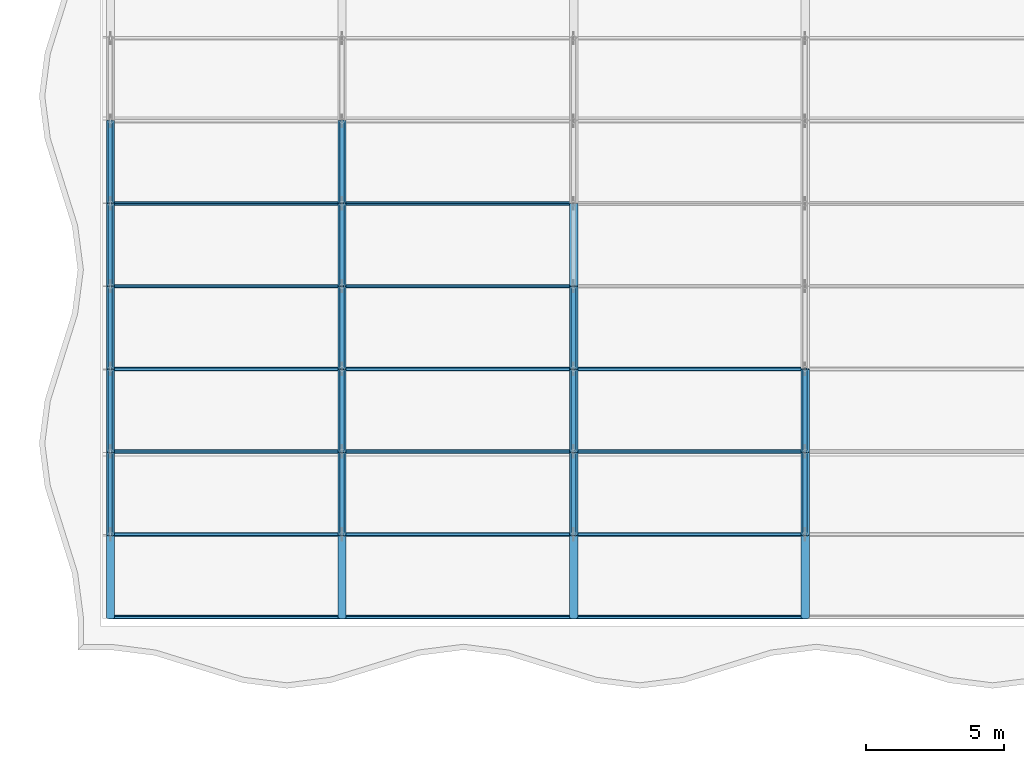
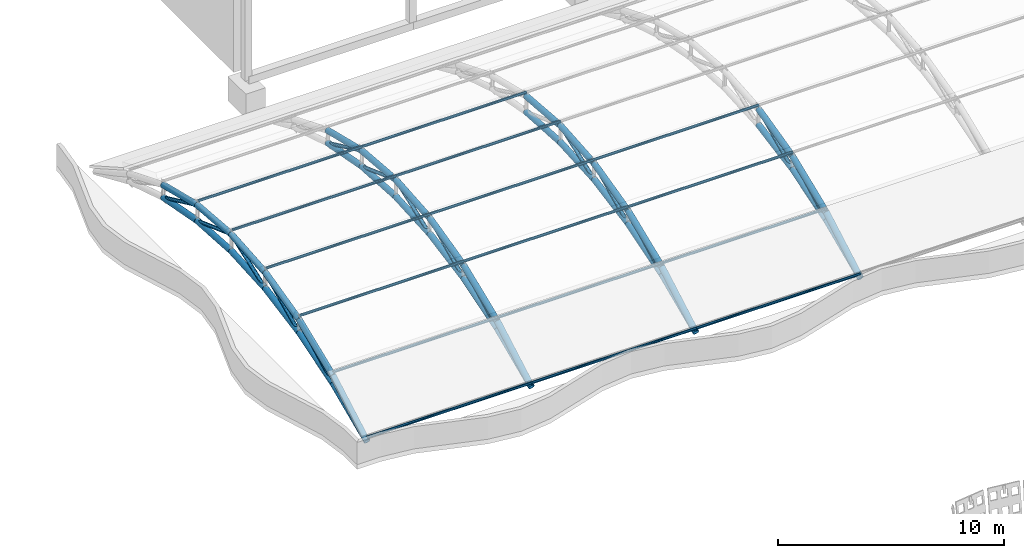
# One storey, part 12 of 163: 71 members.
"""IFC4 building model written with IfcOpenShell, lengths in metres."""

from ifc_helpers import new_model, si_unit, direction, frame, origin, origin_2d, place, context, subcontext, project, spatial, hollow_circle, extrude, material, material_profile, profile_set, type_object, element, save


model = new_model("IFC4")

# Units and contexts
model_context = context("Model", 3, precision=1e-05, world=origin(), true_north=direction((0.0, 1.0)))
body_context = subcontext(model_context, "Body", "Model", "MODEL_VIEW")
ifc_project = project(units=[si_unit("LENGTHUNIT", "METRE"), si_unit("AREAUNIT", "SQUARE_METRE"), si_unit("VOLUMEUNIT", "CUBIC_METRE"), si_unit("PLANEANGLEUNIT", "RADIAN"), si_unit("MASSUNIT", "GRAM", prefix="KILO")], contexts=[model_context])

# Site, building, storey
site_placement = place(None, origin())
site = spatial("IfcSite", under=ifc_project, at=site_placement, CompositionType="ELEMENT")
building_placement = place(site_placement, origin())
building = spatial("IfcBuilding", under=site, at=building_placement, Name="Rain Tree Exposition and Congress Centre", CompositionType="ELEMENT")
storey_placement = place(building_placement, frame((0.0, 0.0, 10.5)))
storey = spatial("IfcBuildingStorey", under=building, at=storey_placement, Name="L02", CompositionType="ELEMENT", Elevation=10.5)

# Members
ifc_material_1 = material(Name="Steel S355J2H", Category="steel")
ifc_material_profile_1 = material_profile(ifc_material_1, hollow_circle(Radius=0.090087890625, WallThickness=0.008056640625, at=origin_2d()), Name="CHS 180x8")
ifc_profile_set_1 = profile_set([ifc_material_profile_1], Name="Steel S355J2H")
member_type_1 = type_object("IfcMemberType", Name="Steel brace member CHS 180x8", PredefinedType="BRACE", material=ifc_profile_set_1)
member_1_placement = place(storey_placement, frame((0.0, 78.60009765625, 1.4423828125), z_axis=(0.0, 0.880818418444, 0.473454236151), x_axis=(-1.0, 0.0, 0.0)))
element("IfcMember", 1, at=member_1_placement, inside=storey, type_object=member_type_1, Name="Roof truss 1 diagonal 1", PredefinedType="BRACE", context=body_context, shape_type="SweptSolid", body=[
    extrude(hollow_circle(Radius=0.090087890625, WallThickness=0.008056640625, at=origin_2d()), origin(), (0.0, 0.0, 1.0), 3.406005859375),
])
member_2_placement = place(storey_placement, frame((0.0, 81.60009765625, 2.3798828125), z_axis=(0.0, 0.905430616583, 0.424494285655), x_axis=(-1.0, 0.0, 0.0)))
element("IfcMember", 2, at=member_2_placement, inside=storey, type_object=member_type_1, Name="Roof truss 1 diagonal 2", PredefinedType="BRACE", context=body_context, shape_type="SweptSolid", body=[
    extrude(hollow_circle(Radius=0.090087890625, WallThickness=0.008056640625, at=origin_2d()), origin(), (0.0, 0.0, 1.0), 3.313232421875),
])
for number, where, z_axis, x_axis, name in (
    (3, (0.0, 84.60009765625, 2.9423828125), (0.0, 0.940121356633, 0.340839896143), (-1.0, 0.0, 0.0), "Roof truss 1 diagonal 3"),
    (4, (0.0, 90.60009765625, 2.9423828125), (0.0, -0.940121356633, 0.340839896143), (1.0, 0.0, 0.0), "Roof truss 1 diagonal 4"),
):
    element("IfcMember", number, at=place(storey_placement, frame(where, z_axis=z_axis, x_axis=x_axis)), inside=storey, type_object=member_type_1, Name=name, PredefinedType="BRACE", context=body_context, shape_type="SweptSolid", body=[
        extrude(hollow_circle(Radius=0.090087890625, WallThickness=0.008056640625, at=origin_2d()), origin(), (0.0, 0.0, 1.0), 3.191162109375),
    ])
member_3_placement = place(storey_placement, frame((0.0, 93.60009765625, 2.3798828125), z_axis=(0.0, -0.905430616583, 0.424494285655), x_axis=(1.0, 0.0, 0.0)))
element("IfcMember", 5, at=member_3_placement, inside=storey, type_object=member_type_1, Name="Roof truss 1 diagonal 5", PredefinedType="BRACE", context=body_context, shape_type="SweptSolid", body=[
    extrude(hollow_circle(Radius=0.090087890625, WallThickness=0.008056640625, at=origin_2d()), origin(), (0.0, 0.0, 1.0), 3.313232421875),
])
member_4_placement = place(storey_placement, frame((8.39990234375, 78.60009765625, 1.4423828125), z_axis=(0.0, 0.880818418444, 0.473454236151), x_axis=(-1.0, 0.0, 0.0)))
element("IfcMember", 6, at=member_4_placement, inside=storey, type_object=member_type_1, Name="Roof truss 2 diagonal 1", PredefinedType="BRACE", context=body_context, shape_type="SweptSolid", body=[
    extrude(hollow_circle(Radius=0.090087890625, WallThickness=0.008056640625, at=origin_2d()), origin(), (0.0, 0.0, 1.0), 3.406005859375),
])
member_5_placement = place(storey_placement, frame((8.39990234375, 81.60009765625, 2.3798828125), z_axis=(0.0, 0.905430616583, 0.424494285655), x_axis=(-1.0, 0.0, 0.0)))
element("IfcMember", 7, at=member_5_placement, inside=storey, type_object=member_type_1, Name="Roof truss 2 diagonal 2", PredefinedType="BRACE", context=body_context, shape_type="SweptSolid", body=[
    extrude(hollow_circle(Radius=0.090087890625, WallThickness=0.008056640625, at=origin_2d()), origin(), (0.0, 0.0, 1.0), 3.313232421875),
])
for number, where, z_axis, x_axis, name in (
    (8, (8.39990234375, 84.60009765625, 2.9423828125), (0.0, 0.940121356633, 0.340839896143), (-1.0, 0.0, 0.0), "Roof truss 2 diagonal 3"),
    (9, (8.39990234375, 90.60009765625, 2.9423828125), (0.0, -0.940121356633, 0.340839896143), (1.0, 0.0, 0.0), "Roof truss 2 diagonal 4"),
):
    element("IfcMember", number, at=place(storey_placement, frame(where, z_axis=z_axis, x_axis=x_axis)), inside=storey, type_object=member_type_1, Name=name, PredefinedType="BRACE", context=body_context, shape_type="SweptSolid", body=[
        extrude(hollow_circle(Radius=0.090087890625, WallThickness=0.008056640625, at=origin_2d()), origin(), (0.0, 0.0, 1.0), 3.191162109375),
    ])
member_6_placement = place(storey_placement, frame((8.39990234375, 93.60009765625, 2.3798828125), z_axis=(0.0, -0.905430616583, 0.424494285655), x_axis=(1.0, 0.0, 0.0)))
element("IfcMember", 10, at=member_6_placement, inside=storey, type_object=member_type_1, Name="Roof truss 2 diagonal 5", PredefinedType="BRACE", context=body_context, shape_type="SweptSolid", body=[
    extrude(hollow_circle(Radius=0.090087890625, WallThickness=0.008056640625, at=origin_2d()), origin(), (0.0, 0.0, 1.0), 3.313232421875),
])
member_7_placement = place(storey_placement, frame((16.800048828125, 78.60009765625, 1.4423828125), z_axis=(0.0, 0.880818418444, 0.473454236151), x_axis=(-1.0, 0.0, 0.0)))
element("IfcMember", 11, at=member_7_placement, inside=storey, type_object=member_type_1, Name="Roof truss 3 diagonal 1", PredefinedType="BRACE", context=body_context, shape_type="SweptSolid", body=[
    extrude(hollow_circle(Radius=0.090087890625, WallThickness=0.008056640625, at=origin_2d()), origin(), (0.0, 0.0, 1.0), 3.406005859375),
])
member_8_placement = place(storey_placement, frame((16.800048828125, 81.60009765625, 2.3798828125), z_axis=(0.0, 0.905430616583, 0.424494285655), x_axis=(-1.0, 0.0, 0.0)))
element("IfcMember", 12, at=member_8_placement, inside=storey, type_object=member_type_1, Name="Roof truss 3 diagonal 2", PredefinedType="BRACE", context=body_context, shape_type="SweptSolid", body=[
    extrude(hollow_circle(Radius=0.090087890625, WallThickness=0.008056640625, at=origin_2d()), origin(), (0.0, 0.0, 1.0), 3.313232421875),
])
member_9_placement = place(storey_placement, frame((16.800048828125, 84.60009765625, 2.9423828125), z_axis=(0.0, 0.940121356633, 0.340839896143), x_axis=(-1.0, 0.0, 0.0)))
element("IfcMember", 13, at=member_9_placement, inside=storey, type_object=member_type_1, Name="Roof truss 3 diagonal 3", PredefinedType="BRACE", context=body_context, shape_type="SweptSolid", body=[
    extrude(hollow_circle(Radius=0.090087890625, WallThickness=0.008056640625, at=origin_2d()), origin(), (0.0, 0.0, 1.0), 3.191162109375),
])
member_10_placement = place(storey_placement, frame((25.199951171875, 78.60009765625, 1.4423828125), z_axis=(0.0, 0.880818418444, 0.473454236151), x_axis=(-1.0, 0.0, 0.0)))
element("IfcMember", 14, at=member_10_placement, inside=storey, type_object=member_type_1, Name="Roof truss 4 diagonal 1", PredefinedType="BRACE", context=body_context, shape_type="SweptSolid", body=[
    extrude(hollow_circle(Radius=0.090087890625, WallThickness=0.008056640625, at=origin_2d()), origin(), (0.0, 0.0, 1.0), 3.406005859375),
])
member_11_placement = place(storey_placement, frame((25.199951171875, 81.60009765625, 2.3798828125), z_axis=(0.0, 0.905430616583, 0.424494285655), x_axis=(-1.0, 0.0, 0.0)))
element("IfcMember", 15, at=member_11_placement, inside=storey, type_object=member_type_1, Name="Roof truss 4 diagonal 2", PredefinedType="BRACE", context=body_context, shape_type="SweptSolid", body=[
    extrude(hollow_circle(Radius=0.090087890625, WallThickness=0.008056640625, at=origin_2d()), origin(), (0.0, 0.0, 1.0), 3.313232421875),
])
ifc_material_2 = material(Name="Steel S355J2H", Category="steel")
ifc_material_profile_2 = material_profile(ifc_material_2, hollow_circle(Radius=0.14990234375, WallThickness=0.013916015625, at=origin_2d()), Name="CHS 300x14")
ifc_profile_set_2 = profile_set([ifc_material_profile_2], Name="Steel S355J2H")
member_type_2 = type_object("IfcMemberType", Name="Steel chord member CHS 300x14", PredefinedType="CHORD", material=ifc_profile_set_2)
member_12_placement = place(storey_placement, frame((0.0, 75.60009765625, 0.1298828125), z_axis=(0.0, 0.869238262324, 0.494393409455), x_axis=(-1.0, 0.0, 0.0)))
element("IfcMember", 16, at=member_12_placement, inside=storey, type_object=member_type_2, Name="Roof truss 1 top chord 1", PredefinedType="CHORD", context=body_context, shape_type="SweptSolid", body=[
    extrude(hollow_circle(Radius=0.14990234375, WallThickness=0.013916015625, at=origin_2d()), origin(), (0.0, 0.0, 1.0), 3.451416015625),
])
member_13_placement = place(storey_placement, frame((0.0, 75.60009765625, 0.1298828125), z_axis=(0.0, 0.916157334902, 0.40081883402), x_axis=(-1.0, 0.0, 0.0)))
element("IfcMember", 17, at=member_13_placement, inside=storey, type_object=member_type_2, Name="Roof truss 1 bottom chord 1", PredefinedType="CHORD", context=body_context, shape_type="SweptSolid", body=[
    extrude(hollow_circle(Radius=0.14990234375, WallThickness=0.013916015625, at=origin_2d()), origin(), (0.0, 0.0, 1.0), 3.274658203125),
])
member_14_placement = place(storey_placement, frame((0.0, 78.60009765625, 1.836181640625), z_axis=(0.0, 0.926466577122, 0.376377046956), x_axis=(-1.0, 0.0, 0.0)))
element("IfcMember", 18, at=member_14_placement, inside=storey, type_object=member_type_2, Name="Roof truss 1 top chord 2", PredefinedType="CHORD", context=body_context, shape_type="SweptSolid", body=[
    extrude(hollow_circle(Radius=0.14990234375, WallThickness=0.013916015625, at=origin_2d()), origin(), (0.0, 0.0, 1.0), 3.238037109375),
])
member_15_placement = place(storey_placement, frame((0.0, 78.60009765625, 1.4423828125), z_axis=(0.0, 0.954479978035, 0.298274993136), x_axis=(-1.0, 0.0, 0.0)))
element("IfcMember", 19, at=member_15_placement, inside=storey, type_object=member_type_2, Name="Roof truss 1 bottom chord 2", PredefinedType="CHORD", context=body_context, shape_type="SweptSolid", body=[
    extrude(hollow_circle(Radius=0.14990234375, WallThickness=0.013916015625, at=origin_2d()), origin(), (0.0, 0.0, 1.0), 3.14306640625),
])
member_16_placement = place(storey_placement, frame((0.0, 81.60009765625, 3.054931640625), z_axis=(0.0, 0.971539868448, 0.236876094228), x_axis=(-1.0, 0.0, 0.0)))
element("IfcMember", 20, at=member_16_placement, inside=storey, type_object=member_type_2, Name="Roof truss 1 top chord 3", PredefinedType="CHORD", context=body_context, shape_type="SweptSolid", body=[
    extrude(hollow_circle(Radius=0.14990234375, WallThickness=0.013916015625, at=origin_2d()), origin(), (0.0, 0.0, 1.0), 3.087890625),
])
member_17_placement = place(storey_placement, frame((0.0, 81.60009765625, 2.3798828125), z_axis=(0.0, 0.982872186934, 0.18428853505), x_axis=(-1.0, 0.0, 0.0)))
element("IfcMember", 21, at=member_17_placement, inside=storey, type_object=member_type_2, Name="Roof truss 1 bottom chord 3", PredefinedType="CHORD", context=body_context, shape_type="SweptSolid", body=[
    extrude(hollow_circle(Radius=0.14990234375, WallThickness=0.013916015625, at=origin_2d()), origin(), (0.0, 0.0, 1.0), 3.05224609375),
])
member_18_placement = place(storey_placement, frame((0.0, 84.60009765625, 3.786376953125), z_axis=(0.0, 0.996718090462, 0.0809508996), x_axis=(-1.0, 0.0, 0.0)))
element("IfcMember", 22, at=member_18_placement, inside=storey, type_object=member_type_2, Name="Roof truss 1 top chord 4", PredefinedType="CHORD", context=body_context, shape_type="SweptSolid", body=[
    extrude(hollow_circle(Radius=0.14990234375, WallThickness=0.013916015625, at=origin_2d()), origin(), (0.0, 0.0, 1.0), 3.009765625),
])
member_19_placement = place(storey_placement, frame((0.0, 84.60009765625, 2.9423828125), z_axis=(0.0, 0.998052578483, 0.062378286155), x_axis=(-1.0, 0.0, 0.0)))
element("IfcMember", 23, at=member_19_placement, inside=storey, type_object=member_type_2, Name="Roof truss 1 bottom chord 4", PredefinedType="CHORD", context=body_context, shape_type="SweptSolid", body=[
    extrude(hollow_circle(Radius=0.14990234375, WallThickness=0.013916015625, at=origin_2d()), origin(), (0.0, 0.0, 1.0), 3.005859375),
])
member_20_placement = place(storey_placement, frame((0.0, 87.60009765625, 4.030029296875), z_axis=(0.0, 0.996718090462, -0.0809508996), x_axis=(-1.0, 0.0, 0.0)))
element("IfcMember", 24, at=member_20_placement, inside=storey, type_object=member_type_2, Name="Roof truss 1 top chord 5", PredefinedType="CHORD", context=body_context, shape_type="SweptSolid", body=[
    extrude(hollow_circle(Radius=0.14990234375, WallThickness=0.013916015625, at=origin_2d()), origin(), (0.0, 0.0, 1.0), 3.009765625),
])
member_21_placement = place(storey_placement, frame((0.0, 87.60009765625, 3.1298828125), z_axis=(0.0, 0.998052578483, -0.062378286155), x_axis=(-1.0, 0.0, 0.0)))
element("IfcMember", 25, at=member_21_placement, inside=storey, type_object=member_type_2, Name="Roof truss 1 bottom chord 5", PredefinedType="CHORD", context=body_context, shape_type="SweptSolid", body=[
    extrude(hollow_circle(Radius=0.14990234375, WallThickness=0.013916015625, at=origin_2d()), origin(), (0.0, 0.0, 1.0), 3.005859375),
])
member_22_placement = place(storey_placement, frame((0.0, 90.60009765625, 3.786376953125), z_axis=(0.0, 0.971539868448, -0.236876094228), x_axis=(-1.0, 0.0, 0.0)))
element("IfcMember", 26, at=member_22_placement, inside=storey, type_object=member_type_2, Name="Roof truss 1 top chord 6", PredefinedType="CHORD", context=body_context, shape_type="SweptSolid", body=[
    extrude(hollow_circle(Radius=0.14990234375, WallThickness=0.013916015625, at=origin_2d()), origin(), (0.0, 0.0, 1.0), 3.087890625),
])
member_23_placement = place(storey_placement, frame((0.0, 90.60009765625, 2.9423828125), z_axis=(0.0, 0.982872186934, -0.18428853505), x_axis=(-1.0, 0.0, 0.0)))
element("IfcMember", 27, at=member_23_placement, inside=storey, type_object=member_type_2, Name="Roof truss 1 bottom chord 6", PredefinedType="CHORD", context=body_context, shape_type="SweptSolid", body=[
    extrude(hollow_circle(Radius=0.14990234375, WallThickness=0.013916015625, at=origin_2d()), origin(), (0.0, 0.0, 1.0), 3.05224609375),
])
member_24_placement = place(storey_placement, frame((8.39990234375, 75.60009765625, 0.1298828125), z_axis=(0.0, 0.869238262324, 0.494393409455), x_axis=(-1.0, 0.0, 0.0)))
element("IfcMember", 28, at=member_24_placement, inside=storey, type_object=member_type_2, Name="Roof truss 2 top chord 1", PredefinedType="CHORD", context=body_context, shape_type="SweptSolid", body=[
    extrude(hollow_circle(Radius=0.14990234375, WallThickness=0.013916015625, at=origin_2d()), origin(), (0.0, 0.0, 1.0), 3.451416015625),
])
member_25_placement = place(storey_placement, frame((8.39990234375, 75.60009765625, 0.1298828125), z_axis=(0.0, 0.916157334902, 0.40081883402), x_axis=(-1.0, 0.0, 0.0)))
element("IfcMember", 29, at=member_25_placement, inside=storey, type_object=member_type_2, Name="Roof truss 2 bottom chord 1", PredefinedType="CHORD", context=body_context, shape_type="SweptSolid", body=[
    extrude(hollow_circle(Radius=0.14990234375, WallThickness=0.013916015625, at=origin_2d()), origin(), (0.0, 0.0, 1.0), 3.274658203125),
])
member_26_placement = place(storey_placement, frame((8.39990234375, 78.60009765625, 1.836181640625), z_axis=(0.0, 0.926466577122, 0.376377046956), x_axis=(-1.0, 0.0, 0.0)))
element("IfcMember", 30, at=member_26_placement, inside=storey, type_object=member_type_2, Name="Roof truss 2 top chord 2", PredefinedType="CHORD", context=body_context, shape_type="SweptSolid", body=[
    extrude(hollow_circle(Radius=0.14990234375, WallThickness=0.013916015625, at=origin_2d()), origin(), (0.0, 0.0, 1.0), 3.238037109375),
])
member_27_placement = place(storey_placement, frame((8.39990234375, 78.60009765625, 1.4423828125), z_axis=(0.0, 0.954479978035, 0.298274993136), x_axis=(-1.0, 0.0, 0.0)))
element("IfcMember", 31, at=member_27_placement, inside=storey, type_object=member_type_2, Name="Roof truss 2 bottom chord 2", PredefinedType="CHORD", context=body_context, shape_type="SweptSolid", body=[
    extrude(hollow_circle(Radius=0.14990234375, WallThickness=0.013916015625, at=origin_2d()), origin(), (0.0, 0.0, 1.0), 3.14306640625),
])
member_28_placement = place(storey_placement, frame((8.39990234375, 81.60009765625, 3.054931640625), z_axis=(0.0, 0.971539868448, 0.236876094228), x_axis=(-1.0, 0.0, 0.0)))
element("IfcMember", 32, at=member_28_placement, inside=storey, type_object=member_type_2, Name="Roof truss 2 top chord 3", PredefinedType="CHORD", context=body_context, shape_type="SweptSolid", body=[
    extrude(hollow_circle(Radius=0.14990234375, WallThickness=0.013916015625, at=origin_2d()), origin(), (0.0, 0.0, 1.0), 3.087890625),
])
member_29_placement = place(storey_placement, frame((8.39990234375, 81.60009765625, 2.3798828125), z_axis=(0.0, 0.982872186934, 0.18428853505), x_axis=(-1.0, 0.0, 0.0)))
element("IfcMember", 33, at=member_29_placement, inside=storey, type_object=member_type_2, Name="Roof truss 2 bottom chord 3", PredefinedType="CHORD", context=body_context, shape_type="SweptSolid", body=[
    extrude(hollow_circle(Radius=0.14990234375, WallThickness=0.013916015625, at=origin_2d()), origin(), (0.0, 0.0, 1.0), 3.05224609375),
])
member_30_placement = place(storey_placement, frame((8.39990234375, 84.60009765625, 3.786376953125), z_axis=(0.0, 0.996718090462, 0.0809508996), x_axis=(-1.0, 0.0, 0.0)))
element("IfcMember", 34, at=member_30_placement, inside=storey, type_object=member_type_2, Name="Roof truss 2 top chord 4", PredefinedType="CHORD", context=body_context, shape_type="SweptSolid", body=[
    extrude(hollow_circle(Radius=0.14990234375, WallThickness=0.013916015625, at=origin_2d()), origin(), (0.0, 0.0, 1.0), 3.009765625),
])
member_31_placement = place(storey_placement, frame((8.39990234375, 84.60009765625, 2.9423828125), z_axis=(0.0, 0.998052578483, 0.062378286155), x_axis=(-1.0, 0.0, 0.0)))
element("IfcMember", 35, at=member_31_placement, inside=storey, type_object=member_type_2, Name="Roof truss 2 bottom chord 4", PredefinedType="CHORD", context=body_context, shape_type="SweptSolid", body=[
    extrude(hollow_circle(Radius=0.14990234375, WallThickness=0.013916015625, at=origin_2d()), origin(), (0.0, 0.0, 1.0), 3.005859375),
])
member_32_placement = place(storey_placement, frame((8.39990234375, 87.60009765625, 4.030029296875), z_axis=(0.0, 0.996718090462, -0.0809508996), x_axis=(-1.0, 0.0, 0.0)))
element("IfcMember", 36, at=member_32_placement, inside=storey, type_object=member_type_2, Name="Roof truss 2 top chord 5", PredefinedType="CHORD", context=body_context, shape_type="SweptSolid", body=[
    extrude(hollow_circle(Radius=0.14990234375, WallThickness=0.013916015625, at=origin_2d()), origin(), (0.0, 0.0, 1.0), 3.009765625),
])
member_33_placement = place(storey_placement, frame((8.39990234375, 87.60009765625, 3.1298828125), z_axis=(0.0, 0.998052578483, -0.062378286155), x_axis=(-1.0, 0.0, 0.0)))
element("IfcMember", 37, at=member_33_placement, inside=storey, type_object=member_type_2, Name="Roof truss 2 bottom chord 5", PredefinedType="CHORD", context=body_context, shape_type="SweptSolid", body=[
    extrude(hollow_circle(Radius=0.14990234375, WallThickness=0.013916015625, at=origin_2d()), origin(), (0.0, 0.0, 1.0), 3.005859375),
])
member_34_placement = place(storey_placement, frame((8.39990234375, 90.60009765625, 3.786376953125), z_axis=(0.0, 0.971539868448, -0.236876094228), x_axis=(-1.0, 0.0, 0.0)))
element("IfcMember", 38, at=member_34_placement, inside=storey, type_object=member_type_2, Name="Roof truss 2 top chord 6", PredefinedType="CHORD", context=body_context, shape_type="SweptSolid", body=[
    extrude(hollow_circle(Radius=0.14990234375, WallThickness=0.013916015625, at=origin_2d()), origin(), (0.0, 0.0, 1.0), 3.087890625),
])
member_35_placement = place(storey_placement, frame((8.39990234375, 90.60009765625, 2.9423828125), z_axis=(0.0, 0.982872186934, -0.18428853505), x_axis=(-1.0, 0.0, 0.0)))
element("IfcMember", 39, at=member_35_placement, inside=storey, type_object=member_type_2, Name="Roof truss 2 bottom chord 6", PredefinedType="CHORD", context=body_context, shape_type="SweptSolid", body=[
    extrude(hollow_circle(Radius=0.14990234375, WallThickness=0.013916015625, at=origin_2d()), origin(), (0.0, 0.0, 1.0), 3.05224609375),
])
member_36_placement = place(storey_placement, frame((16.800048828125, 75.60009765625, 0.1298828125), z_axis=(0.0, 0.869238262324, 0.494393409455), x_axis=(-1.0, 0.0, 0.0)))
element("IfcMember", 40, at=member_36_placement, inside=storey, type_object=member_type_2, Name="Roof truss 3 top chord 1", PredefinedType="CHORD", context=body_context, shape_type="SweptSolid", body=[
    extrude(hollow_circle(Radius=0.14990234375, WallThickness=0.013916015625, at=origin_2d()), origin(), (0.0, 0.0, 1.0), 3.451416015625),
])
member_37_placement = place(storey_placement, frame((16.800048828125, 75.60009765625, 0.1298828125), z_axis=(0.0, 0.916157334902, 0.40081883402), x_axis=(-1.0, 0.0, 0.0)))
element("IfcMember", 41, at=member_37_placement, inside=storey, type_object=member_type_2, Name="Roof truss 3 bottom chord 1", PredefinedType="CHORD", context=body_context, shape_type="SweptSolid", body=[
    extrude(hollow_circle(Radius=0.14990234375, WallThickness=0.013916015625, at=origin_2d()), origin(), (0.0, 0.0, 1.0), 3.274658203125),
])
member_38_placement = place(storey_placement, frame((16.800048828125, 78.60009765625, 1.836181640625), z_axis=(0.0, 0.926466577122, 0.376377046956), x_axis=(-1.0, 0.0, 0.0)))
element("IfcMember", 42, at=member_38_placement, inside=storey, type_object=member_type_2, Name="Roof truss 3 top chord 2", PredefinedType="CHORD", context=body_context, shape_type="SweptSolid", body=[
    extrude(hollow_circle(Radius=0.14990234375, WallThickness=0.013916015625, at=origin_2d()), origin(), (0.0, 0.0, 1.0), 3.238037109375),
])
member_39_placement = place(storey_placement, frame((16.800048828125, 78.60009765625, 1.4423828125), z_axis=(0.0, 0.954479978035, 0.298274993136), x_axis=(-1.0, 0.0, 0.0)))
element("IfcMember", 43, at=member_39_placement, inside=storey, type_object=member_type_2, Name="Roof truss 3 bottom chord 2", PredefinedType="CHORD", context=body_context, shape_type="SweptSolid", body=[
    extrude(hollow_circle(Radius=0.14990234375, WallThickness=0.013916015625, at=origin_2d()), origin(), (0.0, 0.0, 1.0), 3.14306640625),
])
member_40_placement = place(storey_placement, frame((16.800048828125, 81.60009765625, 3.054931640625), z_axis=(0.0, 0.971539868448, 0.236876094228), x_axis=(-1.0, 0.0, 0.0)))
element("IfcMember", 44, at=member_40_placement, inside=storey, type_object=member_type_2, Name="Roof truss 3 top chord 3", PredefinedType="CHORD", context=body_context, shape_type="SweptSolid", body=[
    extrude(hollow_circle(Radius=0.14990234375, WallThickness=0.013916015625, at=origin_2d()), origin(), (0.0, 0.0, 1.0), 3.087890625),
])
member_41_placement = place(storey_placement, frame((16.800048828125, 81.60009765625, 2.3798828125), z_axis=(0.0, 0.982872186934, 0.18428853505), x_axis=(-1.0, 0.0, 0.0)))
element("IfcMember", 45, at=member_41_placement, inside=storey, type_object=member_type_2, Name="Roof truss 3 bottom chord 3", PredefinedType="CHORD", context=body_context, shape_type="SweptSolid", body=[
    extrude(hollow_circle(Radius=0.14990234375, WallThickness=0.013916015625, at=origin_2d()), origin(), (0.0, 0.0, 1.0), 3.05224609375),
])
member_42_placement = place(storey_placement, frame((16.800048828125, 84.60009765625, 3.786376953125), z_axis=(0.0, 0.996718090462, 0.0809508996), x_axis=(-1.0, 0.0, 0.0)))
element("IfcMember", 46, at=member_42_placement, inside=storey, type_object=member_type_2, Name="Roof truss 3 top chord 4", PredefinedType="CHORD", context=body_context, shape_type="SweptSolid", body=[
    extrude(hollow_circle(Radius=0.14990234375, WallThickness=0.013916015625, at=origin_2d()), origin(), (0.0, 0.0, 1.0), 3.009765625),
])
member_43_placement = place(storey_placement, frame((16.800048828125, 84.60009765625, 2.9423828125), z_axis=(0.0, 0.998052578483, 0.062378286155), x_axis=(-1.0, 0.0, 0.0)))
element("IfcMember", 47, at=member_43_placement, inside=storey, type_object=member_type_2, Name="Roof truss 3 bottom chord 4", PredefinedType="CHORD", context=body_context, shape_type="SweptSolid", body=[
    extrude(hollow_circle(Radius=0.14990234375, WallThickness=0.013916015625, at=origin_2d()), origin(), (0.0, 0.0, 1.0), 3.005859375),
])
member_44_placement = place(storey_placement, frame((16.800048828125, 87.60009765625, 4.030029296875), z_axis=(0.0, 0.996718090462, -0.0809508996), x_axis=(-1.0, 0.0, 0.0)))
element("IfcMember", 48, at=member_44_placement, inside=storey, type_object=member_type_2, Name="Roof truss 3 top chord 5", PredefinedType="CHORD", context=body_context, shape_type="SweptSolid", body=[
    extrude(hollow_circle(Radius=0.14990234375, WallThickness=0.013916015625, at=origin_2d()), origin(), (0.0, 0.0, 1.0), 3.009765625),
])
member_45_placement = place(storey_placement, frame((16.800048828125, 87.60009765625, 3.1298828125), z_axis=(0.0, 0.998052578483, -0.062378286155), x_axis=(-1.0, 0.0, 0.0)))
element("IfcMember", 49, at=member_45_placement, inside=storey, type_object=member_type_2, Name="Roof truss 3 bottom chord 5", PredefinedType="CHORD", context=body_context, shape_type="SweptSolid", body=[
    extrude(hollow_circle(Radius=0.14990234375, WallThickness=0.013916015625, at=origin_2d()), origin(), (0.0, 0.0, 1.0), 3.005859375),
])
member_46_placement = place(storey_placement, frame((25.199951171875, 75.60009765625, 0.1298828125), z_axis=(0.0, 0.869238262324, 0.494393409455), x_axis=(-1.0, 0.0, 0.0)))
element("IfcMember", 50, at=member_46_placement, inside=storey, type_object=member_type_2, Name="Roof truss 4 top chord 1", PredefinedType="CHORD", context=body_context, shape_type="SweptSolid", body=[
    extrude(hollow_circle(Radius=0.14990234375, WallThickness=0.013916015625, at=origin_2d()), origin(), (0.0, 0.0, 1.0), 3.451416015625),
])
member_47_placement = place(storey_placement, frame((25.199951171875, 75.60009765625, 0.1298828125), z_axis=(0.0, 0.916157334902, 0.40081883402), x_axis=(-1.0, 0.0, 0.0)))
element("IfcMember", 51, at=member_47_placement, inside=storey, type_object=member_type_2, Name="Roof truss 4 bottom chord 1", PredefinedType="CHORD", context=body_context, shape_type="SweptSolid", body=[
    extrude(hollow_circle(Radius=0.14990234375, WallThickness=0.013916015625, at=origin_2d()), origin(), (0.0, 0.0, 1.0), 3.274658203125),
])
member_48_placement = place(storey_placement, frame((25.199951171875, 78.60009765625, 1.836181640625), z_axis=(0.0, 0.926466577122, 0.376377046956), x_axis=(-1.0, 0.0, 0.0)))
element("IfcMember", 52, at=member_48_placement, inside=storey, type_object=member_type_2, Name="Roof truss 4 top chord 2", PredefinedType="CHORD", context=body_context, shape_type="SweptSolid", body=[
    extrude(hollow_circle(Radius=0.14990234375, WallThickness=0.013916015625, at=origin_2d()), origin(), (0.0, 0.0, 1.0), 3.238037109375),
])
member_49_placement = place(storey_placement, frame((25.199951171875, 78.60009765625, 1.4423828125), z_axis=(0.0, 0.954479978035, 0.298274993136), x_axis=(-1.0, 0.0, 0.0)))
element("IfcMember", 53, at=member_49_placement, inside=storey, type_object=member_type_2, Name="Roof truss 4 bottom chord 2", PredefinedType="CHORD", context=body_context, shape_type="SweptSolid", body=[
    extrude(hollow_circle(Radius=0.14990234375, WallThickness=0.013916015625, at=origin_2d()), origin(), (0.0, 0.0, 1.0), 3.14306640625),
])
member_50_placement = place(storey_placement, frame((25.199951171875, 81.60009765625, 3.054931640625), z_axis=(0.0, 0.971539868448, 0.236876094228), x_axis=(-1.0, 0.0, 0.0)))
element("IfcMember", 54, at=member_50_placement, inside=storey, type_object=member_type_2, Name="Roof truss 4 top chord 3", PredefinedType="CHORD", context=body_context, shape_type="SweptSolid", body=[
    extrude(hollow_circle(Radius=0.14990234375, WallThickness=0.013916015625, at=origin_2d()), origin(), (0.0, 0.0, 1.0), 3.087890625),
])
member_51_placement = place(storey_placement, frame((25.199951171875, 81.60009765625, 2.3798828125), z_axis=(0.0, 0.982872186934, 0.18428853505), x_axis=(-1.0, 0.0, 0.0)))
element("IfcMember", 55, at=member_51_placement, inside=storey, type_object=member_type_2, Name="Roof truss 4 bottom chord 3", PredefinedType="CHORD", context=body_context, shape_type="SweptSolid", body=[
    extrude(hollow_circle(Radius=0.14990234375, WallThickness=0.013916015625, at=origin_2d()), origin(), (0.0, 0.0, 1.0), 3.05224609375),
])
ifc_material_3 = material(Name="Steel S355J2H", Category="steel")
ifc_material_profile_3 = material_profile(ifc_material_3, hollow_circle(Radius=0.070068359375, WallThickness=0.006103515625, at=origin_2d()), Name="CHS 140x6")
ifc_profile_set_3 = profile_set([ifc_material_profile_3], Name="Steel S355J2H")
member_type_3 = type_object("IfcMemberType", Name="Steel purlin member CHS 140x6", PredefinedType="PURLIN", material=ifc_profile_set_3)
member_52_placement = place(storey_placement, frame((0.0, 75.60009765625, 0.35009765625), z_axis=(1.0, 0.0, 0.0), x_axis=(0.0, 1.0, 0.0)))
element("IfcMember", 56, at=member_52_placement, inside=storey, type_object=member_type_3, Name="Roof purlin 1.1", PredefinedType="PURLIN", context=body_context, shape_type="SweptSolid", body=[
    extrude(hollow_circle(Radius=0.070068359375, WallThickness=0.006103515625, at=origin_2d()), origin(), (0.0, 0.0, 1.0), 8.39990234375),
])
member_53_placement = place(storey_placement, frame((8.39990234375, 75.60009765625, 0.35009765625), z_axis=(1.0, 0.0, 0.0), x_axis=(0.0, 1.0, 0.0)))
element("IfcMember", 57, at=member_53_placement, inside=storey, type_object=member_type_3, Name="Roof purlin 1.2", PredefinedType="PURLIN", context=body_context, shape_type="SweptSolid", body=[
    extrude(hollow_circle(Radius=0.070068359375, WallThickness=0.006103515625, at=origin_2d()), origin(), (0.0, 0.0, 1.0), 8.400146484375),
])
for number, where, z_axis, x_axis, name in (
    (58, (16.800048828125, 75.60009765625, 0.35009765625), (1.0, 0.0, 0.0), (0.0, 1.0, 0.0), "Roof purlin 1.3"),
    (59, (0.0, 78.60009765625, 2.056396484375), (1.0, 0.0, 0.0), (0.0, 1.0, 0.0), "Roof purlin 2.1"),
):
    element("IfcMember", number, at=place(storey_placement, frame(where, z_axis=z_axis, x_axis=x_axis)), inside=storey, type_object=member_type_3, Name=name, PredefinedType="PURLIN", context=body_context, shape_type="SweptSolid", body=[
        extrude(hollow_circle(Radius=0.070068359375, WallThickness=0.006103515625, at=origin_2d()), origin(), (0.0, 0.0, 1.0), 8.39990234375),
    ])
member_54_placement = place(storey_placement, frame((8.39990234375, 78.60009765625, 2.056396484375), z_axis=(1.0, 0.0, 0.0), x_axis=(0.0, 1.0, 0.0)))
element("IfcMember", 60, at=member_54_placement, inside=storey, type_object=member_type_3, Name="Roof purlin 2.2", PredefinedType="PURLIN", context=body_context, shape_type="SweptSolid", body=[
    extrude(hollow_circle(Radius=0.070068359375, WallThickness=0.006103515625, at=origin_2d()), origin(), (0.0, 0.0, 1.0), 8.400146484375),
])
for number, where, z_axis, x_axis, name in (
    (61, (16.800048828125, 78.60009765625, 2.056396484375), (1.0, 0.0, 0.0), (0.0, 1.0, 0.0), "Roof purlin 2.3"),
    (62, (0.0, 81.60009765625, 3.27490234375), (1.0, 0.0, 0.0), (0.0, 1.0, 0.0), "Roof purlin 3.1"),
):
    element("IfcMember", number, at=place(storey_placement, frame(where, z_axis=z_axis, x_axis=x_axis)), inside=storey, type_object=member_type_3, Name=name, PredefinedType="PURLIN", context=body_context, shape_type="SweptSolid", body=[
        extrude(hollow_circle(Radius=0.070068359375, WallThickness=0.006103515625, at=origin_2d()), origin(), (0.0, 0.0, 1.0), 8.39990234375),
    ])
member_55_placement = place(storey_placement, frame((8.39990234375, 81.60009765625, 3.27490234375), z_axis=(1.0, 0.0, 0.0), x_axis=(0.0, 1.0, 0.0)))
element("IfcMember", 63, at=member_55_placement, inside=storey, type_object=member_type_3, Name="Roof purlin 3.2", PredefinedType="PURLIN", context=body_context, shape_type="SweptSolid", body=[
    extrude(hollow_circle(Radius=0.070068359375, WallThickness=0.006103515625, at=origin_2d()), origin(), (0.0, 0.0, 1.0), 8.400146484375),
])
for number, where, z_axis, x_axis, name in (
    (64, (16.800048828125, 81.60009765625, 3.27490234375), (1.0, 0.0, 0.0), (0.0, 1.0, 0.0), "Roof purlin 3.3"),
    (65, (0.0, 84.60009765625, 4.00634765625), (1.0, 0.0, 0.0), (0.0, 1.0, 0.0), "Roof purlin 4.1"),
):
    element("IfcMember", number, at=place(storey_placement, frame(where, z_axis=z_axis, x_axis=x_axis)), inside=storey, type_object=member_type_3, Name=name, PredefinedType="PURLIN", context=body_context, shape_type="SweptSolid", body=[
        extrude(hollow_circle(Radius=0.070068359375, WallThickness=0.006103515625, at=origin_2d()), origin(), (0.0, 0.0, 1.0), 8.39990234375),
    ])
member_56_placement = place(storey_placement, frame((8.39990234375, 84.60009765625, 4.00634765625), z_axis=(1.0, 0.0, 0.0), x_axis=(0.0, 1.0, 0.0)))
element("IfcMember", 66, at=member_56_placement, inside=storey, type_object=member_type_3, Name="Roof purlin 4.2", PredefinedType="PURLIN", context=body_context, shape_type="SweptSolid", body=[
    extrude(hollow_circle(Radius=0.070068359375, WallThickness=0.006103515625, at=origin_2d()), origin(), (0.0, 0.0, 1.0), 8.400146484375),
])
for number, where, z_axis, x_axis, name in (
    (67, (16.800048828125, 84.60009765625, 4.00634765625), (1.0, 0.0, 0.0), (0.0, 1.0, 0.0), "Roof purlin 4.3"),
    (68, (0.0, 87.60009765625, 4.25), (1.0, 0.0, 0.0), (0.0, 1.0, 0.0), "Roof purlin 5.1"),
):
    element("IfcMember", number, at=place(storey_placement, frame(where, z_axis=z_axis, x_axis=x_axis)), inside=storey, type_object=member_type_3, Name=name, PredefinedType="PURLIN", context=body_context, shape_type="SweptSolid", body=[
        extrude(hollow_circle(Radius=0.070068359375, WallThickness=0.006103515625, at=origin_2d()), origin(), (0.0, 0.0, 1.0), 8.39990234375),
    ])
member_57_placement = place(storey_placement, frame((8.39990234375, 87.60009765625, 4.25), z_axis=(1.0, 0.0, 0.0), x_axis=(0.0, 1.0, 0.0)))
element("IfcMember", 69, at=member_57_placement, inside=storey, type_object=member_type_3, Name="Roof purlin 5.2", PredefinedType="PURLIN", context=body_context, shape_type="SweptSolid", body=[
    extrude(hollow_circle(Radius=0.070068359375, WallThickness=0.006103515625, at=origin_2d()), origin(), (0.0, 0.0, 1.0), 8.400146484375),
])
member_58_placement = place(storey_placement, frame((0.0, 90.60009765625, 4.00634765625), z_axis=(1.0, 0.0, 0.0), x_axis=(0.0, 1.0, 0.0)))
element("IfcMember", 70, at=member_58_placement, inside=storey, type_object=member_type_3, Name="Roof purlin 6.1", PredefinedType="PURLIN", context=body_context, shape_type="SweptSolid", body=[
    extrude(hollow_circle(Radius=0.070068359375, WallThickness=0.006103515625, at=origin_2d()), origin(), (0.0, 0.0, 1.0), 8.39990234375),
])
member_59_placement = place(storey_placement, frame((8.39990234375, 90.60009765625, 4.00634765625), z_axis=(1.0, 0.0, 0.0), x_axis=(0.0, 1.0, 0.0)))
element("IfcMember", 71, at=member_59_placement, inside=storey, type_object=member_type_3, Name="Roof purlin 6.2", PredefinedType="PURLIN", context=body_context, shape_type="SweptSolid", body=[
    extrude(hollow_circle(Radius=0.070068359375, WallThickness=0.006103515625, at=origin_2d()), origin(), (0.0, 0.0, 1.0), 8.400146484375),
])

save(model, "model.ifc")
